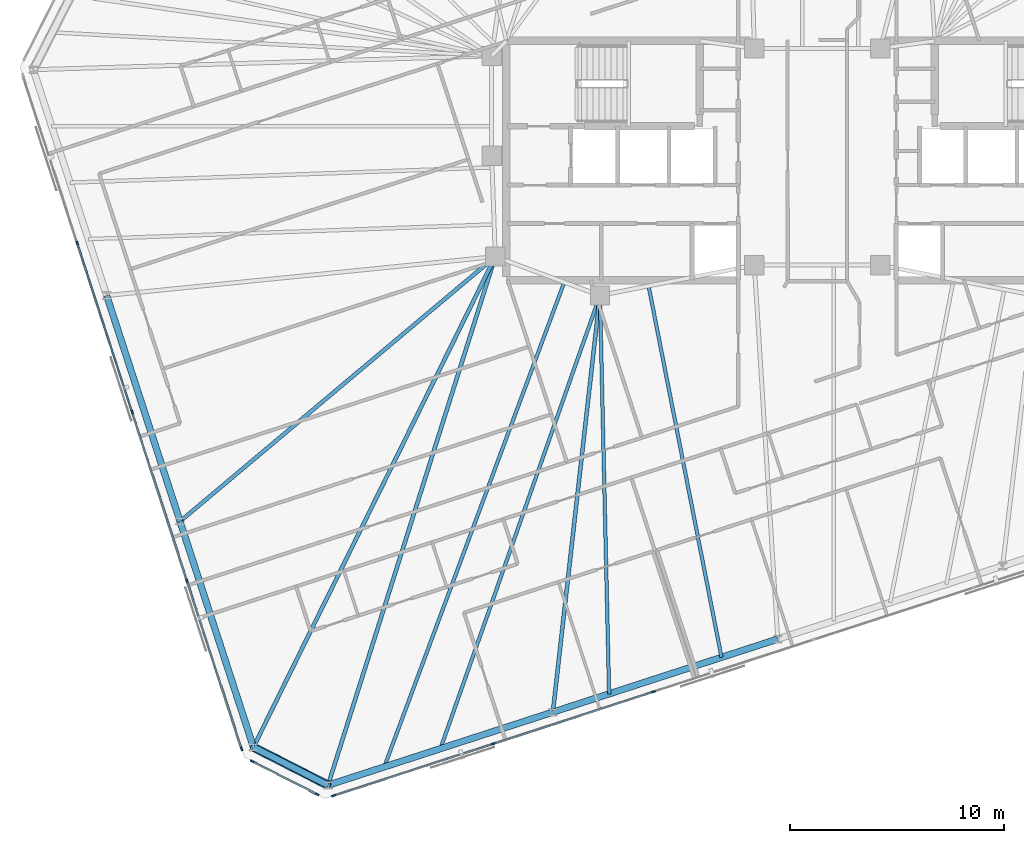
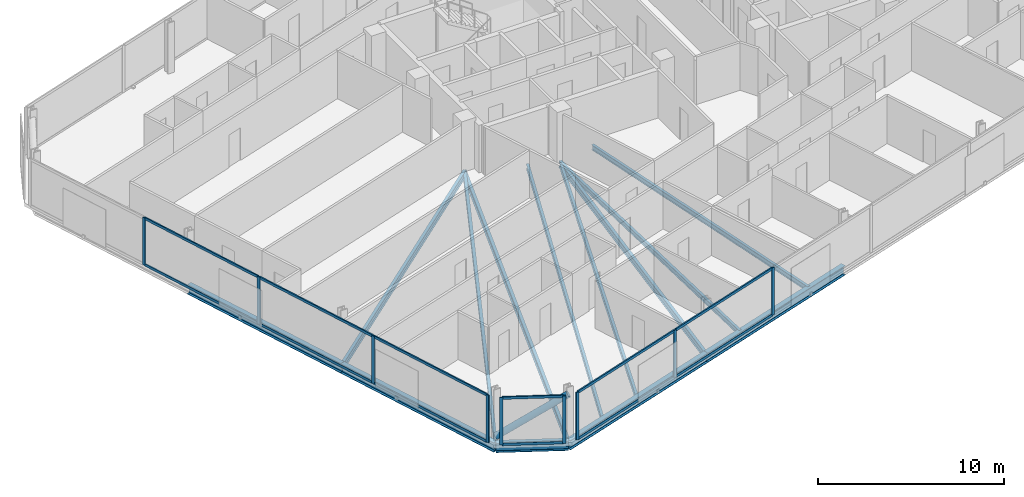
# One storey, part 5 of 20: 22 members, 13 beams, 3 elements without a shape of their own.
"""IFC4 building model written with IfcOpenShell, lengths in metres."""

from ifc_helpers import new_model, si_unit, direction, frame, origin, origin_2d, place, context, subcontext, project, spatial, rectangle, hollow_circle, i_section, extrude, material, material_profile, profile_set, type_object, element, aggregate, save


model = new_model("IFC4")

# Units and contexts
model_context = context("Model", 3, precision=1e-05, world=origin(), true_north=direction((0.0, 1.0)))
body_context = subcontext(model_context, "Body", "Model", "MODEL_VIEW")
ifc_project = project(units=[si_unit("LENGTHUNIT", "METRE"), si_unit("AREAUNIT", "SQUARE_METRE"), si_unit("VOLUMEUNIT", "CUBIC_METRE"), si_unit("PLANEANGLEUNIT", "RADIAN"), si_unit("MASSUNIT", "GRAM", prefix="KILO")], contexts=[model_context])

# Site, building, storey
site_placement = place(None, origin())
site = spatial("IfcSite", under=ifc_project, at=site_placement, CompositionType="ELEMENT")
building_placement = place(site_placement, origin())
building = spatial("IfcBuilding", under=site, at=building_placement, Name="Menara Jurai Vektor", CompositionType="ELEMENT")
storey_placement = place(building_placement, frame((0.0, 0.0, 247.75)))
storey = spatial("IfcBuildingStorey", under=building, at=storey_placement, Name="L66", CompositionType="ELEMENT", Elevation=247.75)

# Curtain wall, members
ifc_material_1 = material(Name="Anodised Pale Aluminium & Low-E Double Glazing", Category="aluminium")
curtain_wall_type = type_object("IfcCurtainWallType", Name="CW-BLK4", PredefinedType="NOTDEFINED", material=ifc_material_1)
curtain_wall_1_placement = place(storey_placement, origin())
curtain_wall_1 = element("IfcCurtainWall", 1, at=curtain_wall_1_placement, inside=storey, type_object=curtain_wall_type, Name="Unitised Curtain Wall L66 F01", PredefinedType="NOTDEFINED")
ifc_material_2 = material(Name="Anodised Pale Aluminium Mullion", Category="aluminium")
ifc_material_profile_1 = material_profile(ifc_material_2, rectangle(XDim=0.080078125, YDim=0.18994140625, at=origin_2d()), Name="ALU MUL 80x190")
ifc_profile_set_1 = profile_set([ifc_material_profile_1], Name="Anodised Pale Aluminium Mullion")
member_type_1 = type_object("IfcMemberType", Name="CW-BLK4-MUL", PredefinedType="MULLION", material=ifc_profile_set_1)
member_1_placement = place(storey_placement, frame((-22.649658203125, -29.743896484375, 0.0), z_axis=(0.0, 0.0, 1.0), x_axis=(-0.309017344167, 0.951056402641, 0.0)))
member_1 = element("IfcMember", 2, at=member_1_placement, type_object=member_type_1, Name="CW-04 mullion 1", PredefinedType="MULLION", context=body_context, shape_type="SweptSolid", body=[
    extrude(rectangle(XDim=0.080078125, YDim=0.18994140625, at=origin_2d()), origin(), (0.0, 0.0, 1.0), 3.125),
])
member_2_placement = place(storey_placement, frame((-15.1826171875, -27.317626953125, 0.0), z_axis=(0.0, 0.0, 1.0), x_axis=(-0.309017344167, 0.951056402641, 0.0)))
member_2 = element("IfcMember", 3, at=member_2_placement, type_object=member_type_1, Name="CW-04 mullion 2", PredefinedType="MULLION", context=body_context, shape_type="SweptSolid", body=[
    extrude(rectangle(XDim=0.080078125, YDim=0.18994140625, at=origin_2d()), origin(), (0.0, 0.0, 1.0), 3.125),
])
member_3_placement = place(storey_placement, frame((-7.677490234375, -24.879150390625, 0.0), z_axis=(0.0, 0.0, 1.0), x_axis=(-0.309017344167, 0.951056402641, 0.0)))
member_3 = element("IfcMember", 4, at=member_3_placement, type_object=member_type_1, Name="CW-04 mullion 3", PredefinedType="MULLION", context=body_context, shape_type="SweptSolid", body=[
    extrude(rectangle(XDim=0.080078125, YDim=0.18994140625, at=origin_2d()), origin(), (0.0, 0.0, 1.0), 3.125),
])

curtain_wall_2_placement = place(storey_placement, origin())
curtain_wall_2 = element("IfcCurtainWall", 5, at=curtain_wall_2_placement, inside=storey, type_object=curtain_wall_type, Name="Unitised Curtain Wall L66 F07", PredefinedType="NOTDEFINED")
member_4_placement = place(storey_placement, frame((-34.650634765625, -3.876220703125, 0.0), z_axis=(0.0, 0.0, 1.0), x_axis=(0.95105668295, 0.309016481464, 0.0)))
member_4 = element("IfcMember", 6, at=member_4_placement, type_object=member_type_1, Name="CW-04 mullion 2", PredefinedType="MULLION", context=body_context, shape_type="SweptSolid", body=[
    extrude(rectangle(XDim=0.080078125, YDim=0.18994140625, at=origin_2d()), origin(), (0.0, 0.0, 1.0), 3.125),
])
member_5_placement = place(storey_placement, frame((-32.082763671875, -11.779541015625, 0.0), z_axis=(0.0, 0.0, 1.0), x_axis=(0.95105668295, 0.309016481464, 0.0)))
member_5 = element("IfcMember", 7, at=member_5_placement, type_object=member_type_1, Name="CW-04 mullion 3", PredefinedType="MULLION", context=body_context, shape_type="SweptSolid", body=[
    extrude(rectangle(XDim=0.080078125, YDim=0.18994140625, at=origin_2d()), origin(), (0.0, 0.0, 1.0), 3.125),
])
member_6_placement = place(storey_placement, frame((-29.514892578125, -19.682861328125, 0.0), z_axis=(0.0, 0.0, 1.0), x_axis=(0.95105668295, 0.309016481464, 0.0)))
member_6 = element("IfcMember", 8, at=member_6_placement, type_object=member_type_1, Name="CW-04 mullion 4", PredefinedType="MULLION", context=body_context, shape_type="SweptSolid", body=[
    extrude(rectangle(XDim=0.080078125, YDim=0.18994140625, at=origin_2d()), origin(), (0.0, 0.0, 1.0), 3.125),
])
member_7_placement = place(storey_placement, frame((-26.959228515625, -27.548095703125, 0.0), z_axis=(0.0, 0.0, 1.0), x_axis=(0.95105668295, 0.309016481464, 0.0)))
member_7 = element("IfcMember", 9, at=member_7_placement, type_object=member_type_1, Name="CW-04 mullion 5", PredefinedType="MULLION", context=body_context, shape_type="SweptSolid", body=[
    extrude(rectangle(XDim=0.080078125, YDim=0.18994140625, at=origin_2d()), origin(), (0.0, 0.0, 1.0), 3.125),
])

curtain_wall_3_placement = place(storey_placement, origin())
curtain_wall_3 = element("IfcCurtainWall", 10, at=curtain_wall_3_placement, inside=storey, type_object=curtain_wall_type, Name="Unitised Curtain Wall L66 F08", PredefinedType="NOTDEFINED")
member_8_placement = place(storey_placement, frame((-26.455322265625, -28.13818359375, 0.0), z_axis=(0.0, 0.0, 1.0), x_axis=(0.453988579828, 0.89100750243, 0.0)))
member_8 = element("IfcMember", 11, at=member_8_placement, type_object=member_type_1, Name="CW-04 mullion 1", PredefinedType="MULLION", context=body_context, shape_type="SweptSolid", body=[
    extrude(rectangle(XDim=0.080078125, YDim=0.18994140625, at=origin_2d()), origin(), (0.0, 0.0, 1.0), 3.125),
])
member_9_placement = place(storey_placement, frame((-23.42333984375, -29.682861328125, 0.0), z_axis=(0.0, 0.0, 1.0), x_axis=(0.453988579828, 0.89100750243, 0.0)))
member_9 = element("IfcMember", 12, at=member_9_placement, type_object=member_type_1, Name="CW-04 mullion 2", PredefinedType="MULLION", context=body_context, shape_type="SweptSolid", body=[
    extrude(rectangle(XDim=0.080078125, YDim=0.18994140625, at=origin_2d()), origin(), (0.0, 0.0, 1.0), 3.125),
])

# Member
ifc_material_3 = material(Name="Anodised Pale Aluminium Transom", Category="aluminium")
ifc_material_profile_2 = material_profile(ifc_material_3, rectangle(XDim=0.080078125, YDim=0.1650390625, at=origin_2d()), Name="ALU TRN 80x165")
ifc_profile_set_2 = profile_set([ifc_material_profile_2], Name="Anodised Pale Aluminium Transom")
member_type_2 = type_object("IfcMemberType", Name="CW-BLK4-TRN", PredefinedType="USERDEFINED", material=ifc_profile_set_2)
member_10_placement = place(storey_placement, frame((-22.61181640625, -29.7314453125, 0.0400390625), z_axis=(0.951062230089, 0.308999408573, 0.0), x_axis=(-0.308999408573, 0.951062230089, 0.0)))
member_10 = element("IfcMember", 13, at=member_10_placement, type_object=member_type_2, Name="CW-04 transom 1.1", ObjectType="TRANSOM", PredefinedType="USERDEFINED", context=body_context, shape_type="SweptSolid", body=[
    extrude(rectangle(XDim=0.080078125, YDim=0.1650390625, at=origin_2d()), origin(), (0.0, 0.0, 1.0), 7.771484375),
])

member_11_placement = place(storey_placement, frame((-22.61181640625, -29.7314453125, 3.0849609375), z_axis=(0.951062230089, 0.308999408573, 0.0), x_axis=(-0.308999408573, 0.951062230089, 0.0)))
member_11 = element("IfcMember", 14, at=member_11_placement, type_object=member_type_2, Name="CW-04 transom 1.2", ObjectType="TRANSOM", PredefinedType="USERDEFINED", context=body_context, shape_type="SweptSolid", body=[
    extrude(rectangle(XDim=0.080078125, YDim=0.1650390625, at=origin_2d()), origin(), (0.0, 0.0, 1.0), 7.771484375),
])

member_12_placement = place(storey_placement, frame((-15.14453125, -27.30517578125, 0.0400390625), z_axis=(0.95105634578, 0.309017519167, 0.0), x_axis=(-0.309017519167, 0.95105634578, 0.0)))
member_12 = element("IfcMember", 15, at=member_12_placement, type_object=member_type_2, Name="CW-04 transom 2.1", ObjectType="TRANSOM", PredefinedType="USERDEFINED", context=body_context, shape_type="SweptSolid", body=[
    extrude(rectangle(XDim=0.080078125, YDim=0.1650390625, at=origin_2d()), origin(), (0.0, 0.0, 1.0), 7.811279296875),
])

member_13_placement = place(storey_placement, frame((-15.14453125, -27.30517578125, 3.0849609375), z_axis=(0.95105634578, 0.309017519167, 0.0), x_axis=(-0.309017519167, 0.95105634578, 0.0)))
member_13 = element("IfcMember", 16, at=member_13_placement, type_object=member_type_2, Name="CW-04 transom 2.2", ObjectType="TRANSOM", PredefinedType="USERDEFINED", context=body_context, shape_type="SweptSolid", body=[
    extrude(rectangle(XDim=0.080078125, YDim=0.1650390625, at=origin_2d()), origin(), (0.0, 0.0, 1.0), 7.811279296875),
])

aggregate(curtain_wall_1, [member_1, member_2, member_3, member_10, member_11, member_12, member_13])

member_14_placement = place(storey_placement, frame((-34.638427734375, -3.914306640625, 0.0400390625), z_axis=(0.309018994408, -0.951055866443, 0.0), x_axis=(0.951055866443, 0.309018994408, 0.0)))
member_14 = element("IfcMember", 17, at=member_14_placement, type_object=member_type_2, Name="CW-04 transom 2.1", ObjectType="TRANSOM", PredefinedType="USERDEFINED", context=body_context, shape_type="SweptSolid", body=[
    extrude(rectangle(XDim=0.080078125, YDim=0.1650390625, at=origin_2d()), origin(), (0.0, 0.0, 1.0), 8.22998046875),
])

member_15_placement = place(storey_placement, frame((-34.638427734375, -3.914306640625, 3.0849609375), z_axis=(0.309018994408, -0.951055866443, 0.0), x_axis=(0.951055866443, 0.309018994408, 0.0)))
member_15 = element("IfcMember", 18, at=member_15_placement, type_object=member_type_2, Name="CW-04 transom 2.2", ObjectType="TRANSOM", PredefinedType="USERDEFINED", context=body_context, shape_type="SweptSolid", body=[
    extrude(rectangle(XDim=0.080078125, YDim=0.1650390625, at=origin_2d()), origin(), (0.0, 0.0, 1.0), 8.22998046875),
])

member_16_placement = place(storey_placement, frame((-32.0703125, -11.817626953125, 0.0400390625), z_axis=(0.309018994408, -0.951055866443, 0.0), x_axis=(0.951055866443, 0.309018994408, 0.0)))
member_16 = element("IfcMember", 19, at=member_16_placement, type_object=member_type_2, Name="CW-04 transom 3.1", ObjectType="TRANSOM", PredefinedType="USERDEFINED", context=body_context, shape_type="SweptSolid", body=[
    extrude(rectangle(XDim=0.080078125, YDim=0.1650390625, at=origin_2d()), origin(), (0.0, 0.0, 1.0), 8.22998046875),
])

member_17_placement = place(storey_placement, frame((-32.0703125, -11.817626953125, 3.0849609375), z_axis=(0.309018994408, -0.951055866443, 0.0), x_axis=(0.951055866443, 0.309018994408, 0.0)))
member_17 = element("IfcMember", 20, at=member_17_placement, type_object=member_type_2, Name="CW-04 transom 3.2", ObjectType="TRANSOM", PredefinedType="USERDEFINED", context=body_context, shape_type="SweptSolid", body=[
    extrude(rectangle(XDim=0.080078125, YDim=0.1650390625, at=origin_2d()), origin(), (0.0, 0.0, 1.0), 8.22998046875),
])

member_18_placement = place(storey_placement, frame((-29.50244140625, -19.720947265625, 0.0400390625), z_axis=(0.309010577384, -0.951058601278, 0.0), x_axis=(0.951058601278, 0.309010577384, 0.0)))
member_18 = element("IfcMember", 21, at=member_18_placement, type_object=member_type_2, Name="CW-04 transom 4.1", ObjectType="TRANSOM", PredefinedType="USERDEFINED", context=body_context, shape_type="SweptSolid", body=[
    extrude(rectangle(XDim=0.080078125, YDim=0.1650390625, at=origin_2d()), origin(), (0.0, 0.0, 1.0), 8.18994140625),
])

member_19_placement = place(storey_placement, frame((-29.50244140625, -19.720947265625, 3.0849609375), z_axis=(0.309010577384, -0.951058601278, 0.0), x_axis=(0.951058601278, 0.309010577384, 0.0)))
member_19 = element("IfcMember", 22, at=member_19_placement, type_object=member_type_2, Name="CW-04 transom 4.2", ObjectType="TRANSOM", PredefinedType="USERDEFINED", context=body_context, shape_type="SweptSolid", body=[
    extrude(rectangle(XDim=0.080078125, YDim=0.1650390625, at=origin_2d()), origin(), (0.0, 0.0, 1.0), 8.18994140625),
])

aggregate(curtain_wall_2, [member_4, member_5, member_6, member_7, member_14, member_15, member_16, member_17, member_18, member_19])

member_20_placement = place(storey_placement, frame((-26.419677734375, -28.15625, 0.0400390625), z_axis=(0.89100697374, -0.453989617444, 0.0), x_axis=(0.453989617444, 0.89100697374, 0.0)))
member_20 = element("IfcMember", 23, at=member_20_placement, type_object=member_type_2, Name="CW-04 transom 1.1", ObjectType="TRANSOM", PredefinedType="USERDEFINED", context=body_context, shape_type="SweptSolid", body=[
    extrude(rectangle(XDim=0.080078125, YDim=0.1650390625, at=origin_2d()), origin(), (0.0, 0.0, 1.0), 3.32275390625),
])

member_21_placement = place(storey_placement, frame((-26.419677734375, -28.15625, 3.0849609375), z_axis=(0.89100697374, -0.453989617444, 0.0), x_axis=(0.453989617444, 0.89100697374, 0.0)))
member_21 = element("IfcMember", 24, at=member_21_placement, type_object=member_type_2, Name="CW-04 transom 1.2", ObjectType="TRANSOM", PredefinedType="USERDEFINED", context=body_context, shape_type="SweptSolid", body=[
    extrude(rectangle(XDim=0.080078125, YDim=0.1650390625, at=origin_2d()), origin(), (0.0, 0.0, 1.0), 3.32275390625),
])

aggregate(curtain_wall_3, [member_8, member_9, member_20, member_21])

# Beams
ifc_material_4 = material(Name="Steel S355", Category="steel")
ifc_material_profile_3 = material_profile(ifc_material_4, i_section(OverallWidth=0.18505859375, OverallDepth=0.429931640625, WebThickness=0.010986328125, FlangeThickness=0.01806640625, at=origin_2d()), Name="PG 430x185x76")
ifc_profile_set_3 = profile_set([ifc_material_profile_3], Name="Steel S355")
beam_type_1 = type_object("IfcBeamType", Name="STR-BM-430", PredefinedType="BEAM", material=ifc_profile_set_3)
beam_1_placement = place(storey_placement, frame((-22.912841796875, -29.2509765625, -0.43994140625), z_axis=(0.301715059084, 0.953398145122, 0.0), x_axis=(-0.953398145122, 0.301715059084, 0.0)))
element("IfcBeam", 25, at=beam_1_placement, inside=storey, type_object=beam_type_1, Name="Radial Floor Girder L66-S1", PredefinedType="BEAM", context=body_context, shape_type="SweptSolid", body=[
    extrude(i_section(OverallWidth=0.18505859375, OverallDepth=0.429931640625, WebThickness=0.010986328125, FlangeThickness=0.01806640625, at=origin_2d()), origin(), (0.0, 0.0, 1.0), 25.960693359375),
])
beam_2_placement = place(storey_placement, frame((-12.383544921875, -25.829833984375, -0.43994140625), z_axis=(0.112235588534, 0.993681625404, 0.0), x_axis=(-0.993681625404, 0.112235588534, 0.0)))
element("IfcBeam", 26, at=beam_2_placement, inside=storey, type_object=beam_type_1, Name="Radial Floor Girder L66-S2", PredefinedType="BEAM", context=body_context, shape_type="SweptSolid", body=[
    extrude(i_section(OverallWidth=0.18505859375, OverallDepth=0.429931640625, WebThickness=0.010986328125, FlangeThickness=0.01806640625, at=origin_2d()), origin(), (0.0, 0.0, 1.0), 19.6337890625),
])
beam_3_placement = place(storey_placement, frame((-29.841796875, -16.896728515625, -0.43994140625), z_axis=(0.765784449649, 0.64309733064, 0.0), x_axis=(-0.64309733064, 0.765784449649, 0.0)))
element("IfcBeam", 27, at=beam_3_placement, inside=storey, type_object=beam_type_1, Name="Radial Floor Girder L66-W3", PredefinedType="BEAM", context=body_context, shape_type="SweptSolid", body=[
    extrude(i_section(OverallWidth=0.18505859375, OverallDepth=0.429931640625, WebThickness=0.010986328125, FlangeThickness=0.01806640625, at=origin_2d()), origin(), (0.0, 0.0, 1.0), 19.276611328125),
])
beam_4_placement = place(storey_placement, frame((-26.406005859375, -27.47119140625, -0.43994140625), z_axis=(0.442219272094, 0.896906971424, 0.0), x_axis=(-0.896906971424, 0.442219272094, 0.0)))
element("IfcBeam", 28, at=beam_4_placement, inside=storey, type_object=beam_type_1, Name="Radial Floor Girder L66-W4", PredefinedType="BEAM", context=body_context, shape_type="SweptSolid", body=[
    extrude(i_section(OverallWidth=0.18505859375, OverallDepth=0.429931640625, WebThickness=0.010986328125, FlangeThickness=0.01806640625, at=origin_2d()), origin(), (0.0, 0.0, 1.0), 25.611572265625),
])

# Member
ifc_material_5 = material(Name="Steel S460", Category="steel")
ifc_material_profile_4 = material_profile(ifc_material_5, hollow_circle(Radius=0.203125, WallThickness=0.01611328125, at=origin_2d()), Name="CHS 406.4x16")
ifc_profile_set_4 = profile_set([ifc_material_profile_4], Name="Steel S460")
member_type_3 = type_object("IfcMemberType", Name="STR-BR-406", PredefinedType="BRACE", material=ifc_profile_set_4)
member_22_placement = place(storey_placement, frame((-26.406005859375, -27.47119140625, 0.14990234375), z_axis=(0.740375367811, -0.377225079071, 0.556368182465), x_axis=(0.453976155955, 0.891013832566, 0.0)))
element("IfcMember", 29, at=member_22_placement, inside=storey, type_object=member_type_3, Name="Exoskeleton Corner Brace L66-4", PredefinedType="BRACE", context=body_context, shape_type="SweptSolid", body=[
    extrude(hollow_circle(Radius=0.203125, WallThickness=0.01611328125, at=origin_2d()), origin(), (0.0, 0.0, 1.0), 4.718017578125),
])

# Beams
ifc_material_profile_5 = material_profile(ifc_material_4, i_section(OverallWidth=0.1650390625, OverallDepth=0.330078125, WebThickness=0.009033203125, FlangeThickness=0.013916015625, at=origin_2d()), Name="PG 330x165x46")
ifc_profile_set_5 = profile_set([ifc_material_profile_5], Name="Steel S355")
beam_type_2 = type_object("IfcBeamType", Name="STR-JS-330", PredefinedType="JOIST", material=ifc_profile_set_5)
beam_5_placement = place(storey_placement, frame((-20.280517578125, -28.395751953125, -0.389892578125), z_axis=(0.348182225555, 0.937426870645, 0.0), x_axis=(-0.937426870645, 0.348182225555, 0.0)))
element("IfcBeam", 30, at=beam_5_placement, inside=storey, type_object=beam_type_2, Name="Radial Secondary Floor Joist L66-JS01", PredefinedType="JOIST", context=body_context, shape_type="SweptSolid", body=[
    extrude(i_section(OverallWidth=0.1650390625, OverallDepth=0.330078125, WebThickness=0.009033203125, FlangeThickness=0.013916015625, at=origin_2d()), origin(), (0.0, 0.0, 1.0), 24.211181640625),
])
beam_6_placement = place(storey_placement, frame((-17.648193359375, -27.540283203125, -0.389892578125), z_axis=(0.331980963321, 0.943286085974, 0.0), x_axis=(-0.943286085974, 0.331980963321, 0.0)))
element("IfcBeam", 31, at=beam_6_placement, inside=storey, type_object=beam_type_2, Name="Radial Secondary Floor Joist L66-JS02", PredefinedType="JOIST", context=body_context, shape_type="SweptSolid", body=[
    extrude(i_section(OverallWidth=0.1650390625, OverallDepth=0.330078125, WebThickness=0.009033203125, FlangeThickness=0.013916015625, at=origin_2d()), origin(), (0.0, 0.0, 1.0), 22.49609375),
])
beam_7_placement = place(storey_placement, frame((-9.751220703125, -24.974609375, -0.389892578125), z_axis=(-0.022975519442, 0.999736027913, 0.0), x_axis=(-0.999736027913, -0.022975519442, 0.0)))
element("IfcBeam", 32, at=beam_7_placement, inside=storey, type_object=beam_type_2, Name="Radial Secondary Floor Joist L66-JS03", PredefinedType="JOIST", context=body_context, shape_type="SweptSolid", body=[
    extrude(i_section(OverallWidth=0.1650390625, OverallDepth=0.330078125, WebThickness=0.009033203125, FlangeThickness=0.013916015625, at=origin_2d()), origin(), (0.0, 0.0, 1.0), 18.659423828125),
])
beam_8_placement = place(storey_placement, frame((-4.486572265625, -23.263916015625, -0.389892578125), z_axis=(-0.192724225092, 0.981252960792, 0.0), x_axis=(-0.981252960792, -0.192724225092, 0.0)))
element("IfcBeam", 33, at=beam_8_placement, inside=storey, type_object=beam_type_2, Name="Radial Secondary Floor Joist L66-JS04", PredefinedType="JOIST", context=body_context, shape_type="SweptSolid", body=[
    extrude(i_section(OverallWidth=0.1650390625, OverallDepth=0.330078125, WebThickness=0.009033203125, FlangeThickness=0.013916015625, at=origin_2d()), origin(), (0.0, 0.0, 1.0), 17.7236328125),
])
ifc_material_profile_6 = material_profile(ifc_material_4, i_section(OverallWidth=0.306884765625, OverallDepth=0.6201171875, WebThickness=0.013916015625, FlangeThickness=0.02392578125, FilletRadius=0.01708984375, at=origin_2d()), Name="UKB 610x305x179")
ifc_profile_set_6 = profile_set([ifc_material_profile_6], Name="Steel S355")
beam_type_3 = type_object("IfcBeamType", Name="STR-SP-610", PredefinedType="SPANDREL", material=ifc_profile_set_6)
for number, where, z_axis, x_axis, name in (
    (34, (-22.912841796875, -29.2509765625, -0.534912109375), (0.951057401967, 0.309014268544, 0.0), (-0.309014268544, 0.951057401967, 0.0), "Exoskeleton Spandrel Beam L66-01"),
    (35, (-12.383544921875, -25.829833984375, -0.534912109375), (0.951057401967, 0.309014268544, 0.0), (-0.309014268544, 0.951057401967, 0.0), "Exoskeleton Spandrel Beam L66-02"),
):
    element("IfcBeam", number, at=place(storey_placement, frame(where, z_axis=z_axis, x_axis=x_axis)), inside=storey, type_object=beam_type_3, Name=name, PredefinedType="SPANDREL", context=body_context, shape_type="SweptSolid", body=[
        extrude(i_section(OverallWidth=0.306884765625, OverallDepth=0.6201171875, WebThickness=0.013916015625, FlangeThickness=0.02392578125, FilletRadius=0.01708984375, at=origin_2d()), origin(), (0.0, 0.0, 1.0), 11.071044921875),
    ])
beam_9_placement = place(storey_placement, frame((-33.277587890625, -6.322509765625, -0.534912109375), z_axis=(0.309018545885, -0.951056012178, 0.0), x_axis=(0.951056012178, 0.309018545885, 0.0)))
element("IfcBeam", 36, at=beam_9_placement, inside=storey, type_object=beam_type_3, Name="Exoskeleton Spandrel Beam L66-18", PredefinedType="SPANDREL", context=body_context, shape_type="SweptSolid", body=[
    extrude(i_section(OverallWidth=0.306884765625, OverallDepth=0.6201171875, WebThickness=0.013916015625, FlangeThickness=0.02392578125, FilletRadius=0.01708984375, at=origin_2d()), origin(), (0.0, 0.0, 1.0), 11.118408203125),
])
beam_10_placement = place(storey_placement, frame((-29.841796875, -16.896728515625, -0.534912109375), z_axis=(0.309012092614, -0.95105810896, 0.0), x_axis=(0.95105810896, 0.309012092614, 0.0)))
element("IfcBeam", 37, at=beam_10_placement, inside=storey, type_object=beam_type_3, Name="Exoskeleton Spandrel Beam L66-19", PredefinedType="SPANDREL", context=body_context, shape_type="SweptSolid", body=[
    extrude(i_section(OverallWidth=0.306884765625, OverallDepth=0.6201171875, WebThickness=0.013916015625, FlangeThickness=0.02392578125, FilletRadius=0.01708984375, at=origin_2d()), origin(), (0.0, 0.0, 1.0), 11.11865234375),
])
beam_11_placement = place(storey_placement, frame((-26.406005859375, -27.47119140625, -0.534912109375), z_axis=(0.891013832566, -0.453976155955, 0.0), x_axis=(0.453976155955, 0.891013832566, 0.0)))
element("IfcBeam", 38, at=beam_11_placement, inside=storey, type_object=beam_type_3, Name="Exoskeleton Spandrel Beam L66-20", PredefinedType="SPANDREL", context=body_context, shape_type="SweptSolid", body=[
    extrude(i_section(OverallWidth=0.306884765625, OverallDepth=0.6201171875, WebThickness=0.013916015625, FlangeThickness=0.02392578125, FilletRadius=0.01708984375, at=origin_2d()), origin(), (0.0, 0.0, 1.0), 3.92041015625),
])

save(model, "model.ifc")
